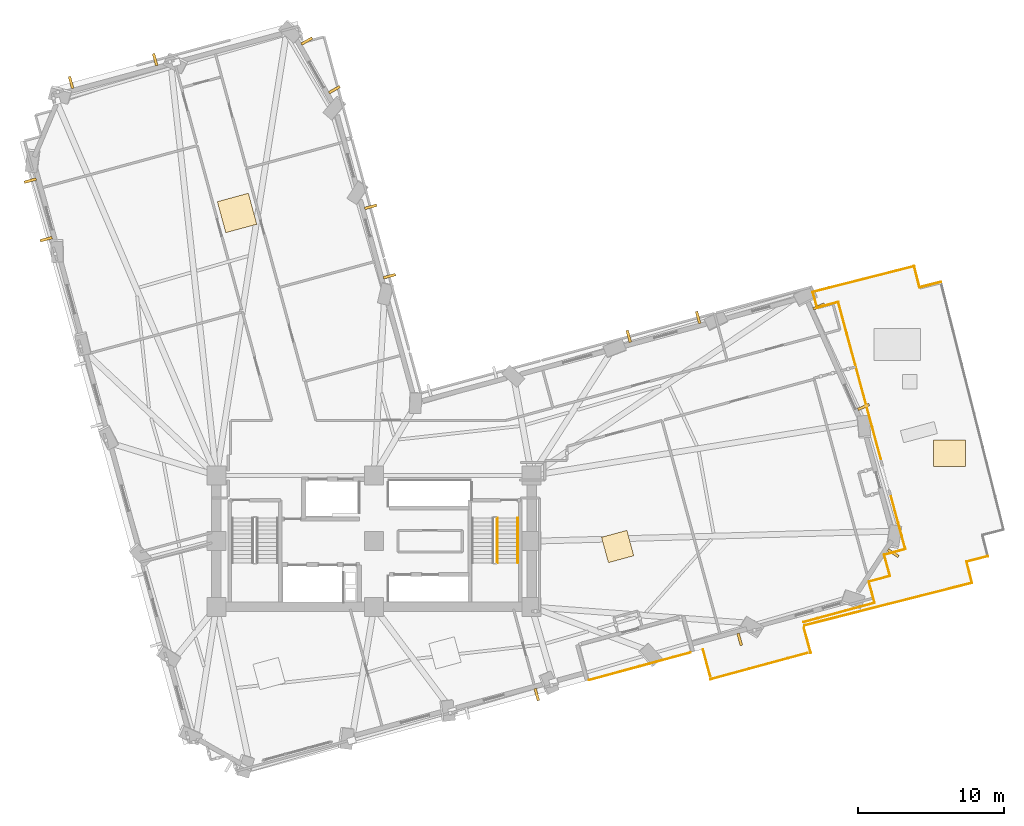
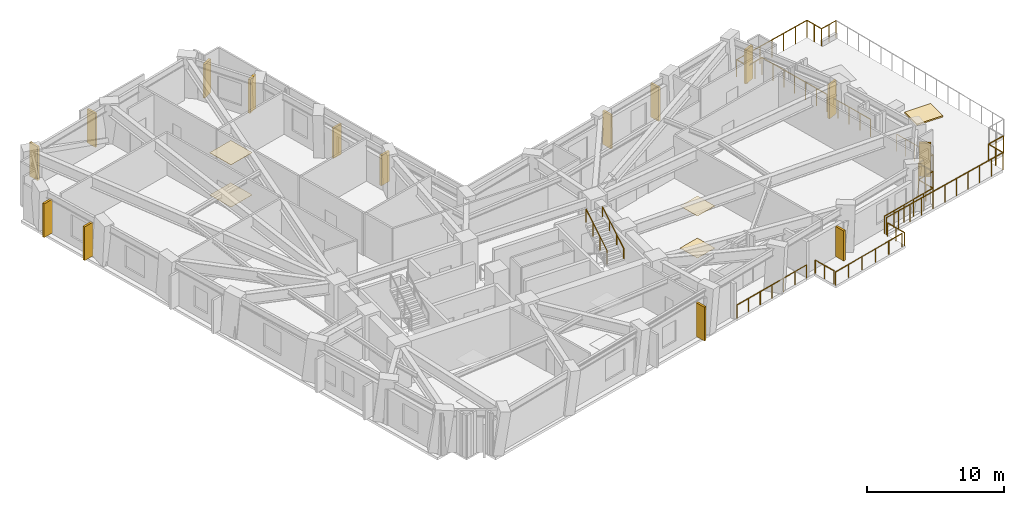
# One storey, part 14 of 15: 21 railings, 15 shading devices, 5 coverings.
"""IFC4 building model written with IfcOpenShell, lengths in metres."""

from ifc_helpers import new_model, si_unit, direction, frame, origin, origin_2d, place, context, subcontext, project, spatial, rectangle, circle, extrude, material, layer, layer_set, type_object, element, save


model = new_model("IFC4")

# Units and contexts
model_context = context("Model", 3, precision=1e-05, world=origin(), true_north=direction((0.0, 1.0)))
body_context = subcontext(model_context, "Body", "Model", "MODEL_VIEW")
ifc_project = project(units=[si_unit("LENGTHUNIT", "METRE"), si_unit("AREAUNIT", "SQUARE_METRE"), si_unit("VOLUMEUNIT", "CUBIC_METRE"), si_unit("PLANEANGLEUNIT", "RADIAN"), si_unit("MASSUNIT", "GRAM", prefix="KILO")], contexts=[model_context])

# Site, building, storey
site_placement = place(None, origin())
site = spatial("IfcSite", under=ifc_project, at=site_placement, CompositionType="ELEMENT")
building_placement = place(site_placement, origin())
building = spatial("IfcBuilding", under=site, at=building_placement, Name="Gaonmaruhae Medical Tower", CompositionType="ELEMENT")
storey_placement = place(building_placement, frame((0.0, 0.0, 88.39990234375)))
storey = spatial("IfcBuildingStorey", under=building, at=storey_placement, Name="L20", CompositionType="ELEMENT", Elevation=88.39990234375)

# Coverings
ifc_material_1 = material(Name="Acoustic mineral ceiling tile", Category="finish")
ifc_layer_1 = layer(ifc_material_1, 0.02490234375)
ifc_layer_set_1 = layer_set([ifc_layer_1], Name="Acoustic mineral ceiling tile")
covering_type_1 = type_object("IfcCoveringType", Name="CLG-01 Antimicrobial Acoustic Mineral Ceiling", PredefinedType="CEILING", material=ifc_layer_set_1)
covering_1_placement = place(storey_placement, frame((15.42041015625, 34.787841796875, 3.755126953125), z_axis=(0.0, 0.0, 1.0), x_axis=(0.965016494472, 0.262189178641, 0.0)))
element("IfcCovering", 1, at=covering_1_placement, inside=storey, type_object=covering_type_1, Name="L20 Clinical Corridor Acoustic Ceiling", PredefinedType="CEILING", context=body_context, shape_type="SweptSolid", body=[
    extrude(rectangle(XDim=2.199951171875, YDim=2.199951171875, at=origin_2d()), origin(), (0.0, 0.0, 1.0), 0.02490234375),
])
covering_2_placement = place(storey_placement, frame((41.493408203125, 11.938232421875, 3.735107421875), z_axis=(0.0, 0.0, 1.0), x_axis=(0.965016494472, 0.262189178641, 0.0)))
element("IfcCovering", 2, at=covering_2_placement, inside=storey, type_object=covering_type_1, Name="L20 Clinical Room Acoustic Ceiling 4", PredefinedType="CEILING", context=body_context, shape_type="SweptSolid", body=[
    extrude(rectangle(XDim=1.800048828125, YDim=1.800048828125, at=origin_2d()), origin(), (0.0, 0.0, 1.0), 0.02490234375),
])
ifc_material_2 = material(Name="Seamless clinical vinyl flooring", Category="finish")
ifc_layer_2 = layer(ifc_material_2, 0.014892578125)
ifc_layer_set_2 = layer_set([ifc_layer_2], Name="Seamless clinical vinyl flooring")
covering_type_2 = type_object("IfcCoveringType", Name="FLR-01 Seamless Clinical Antistatic Vinyl Flooring", PredefinedType="FLOORING", material=ifc_layer_set_2)
covering_3_placement = place(storey_placement, frame((15.42041015625, 34.787841796875, 0.00048828125), z_axis=(0.0, 0.0, 1.0), x_axis=(0.965016494472, 0.262189178641, 0.0)))
element("IfcCovering", 3, at=covering_3_placement, inside=storey, type_object=covering_type_2, Name="L20 Clinical Corridor Vinyl Flooring", PredefinedType="FLOORING", context=body_context, shape_type="SweptSolid", body=[
    extrude(rectangle(XDim=2.199951171875, YDim=2.199951171875, at=origin_2d()), origin(), (0.0, 0.0, 1.0), 0.014892578125),
])
covering_4_placement = place(storey_placement, frame((41.493408203125, 11.938232421875, 0.0), z_axis=(0.0, 0.0, 1.0), x_axis=(0.965016494472, 0.262189178641, 0.0)))
element("IfcCovering", 4, at=covering_4_placement, inside=storey, type_object=covering_type_2, Name="L20 Clinical Room Vinyl Flooring 4", PredefinedType="FLOORING", context=body_context, shape_type="SweptSolid", body=[
    extrude(rectangle(XDim=1.800048828125, YDim=1.800048828125, at=origin_2d()), origin(), (0.0, 0.0, 1.0), 0.014892578125),
])

# Railings
ifc_material_3 = material(Name="Stainless steel 316L and laminated safety glass", Category="steel")
ifc_layer_3 = layer(ifc_material_3, 0.080078125)
ifc_layer_set_3 = layer_set([ifc_layer_3], Name="Stainless steel 316L and laminated safety glass")
railing_type_1 = type_object("IfcRailingType", Name="GD-120 Outdoor Terrace Safety Glass & Steel Balustrade", PredefinedType="BALUSTRADE", material=ifc_layer_set_3)
railing_1_placement = place(storey_placement, frame((39.548095703125, 2.78955078125, 0.0)))
element("IfcRailing", 5, at=railing_1_placement, inside=storey, type_object=railing_type_1, Name="L20 Terrace Safety Guard RL-SLB-L20-TER-01", PredefinedType="BALUSTRADE", context=body_context, shape_type="SweptSolid", body=[
    extrude(circle(Radius=0.02392578125, at=origin_2d()), frame((0.0, 0.0, 1.17578125), z_axis=(0.965017688465, 0.262184783977, 0.0), x_axis=(-0.262184783977, 0.965017688465, 0.0)), (0.0, 0.0, 1.0), 7.199951171875),
    extrude(circle(Radius=0.02099609375, at=origin_2d()), origin(), (0.0, 0.0, 1.0), 1.15185546875),
    extrude(circle(Radius=0.02099609375, at=origin_2d()), frame((1.157958984375, 0.314697265625, 0.0)), (0.0, 0.0, 1.0), 1.15185546875),
    extrude(circle(Radius=0.02099609375, at=origin_2d()), frame((2.31591796875, 0.629150390625, 0.0)), (0.0, 0.0, 1.0), 1.15185546875),
    extrude(circle(Radius=0.02099609375, at=origin_2d()), frame((3.47412109375, 0.94384765625, 0.0)), (0.0, 0.0, 1.0), 1.15185546875),
    extrude(circle(Radius=0.02099609375, at=origin_2d()), frame((4.632080078125, 1.258544921875, 0.0)), (0.0, 0.0, 1.0), 1.15185546875),
    extrude(circle(Radius=0.02099609375, at=origin_2d()), frame((5.7900390625, 1.572998046875, 0.0)), (0.0, 0.0, 1.0), 1.15185546875),
    extrude(circle(Radius=0.02099609375, at=origin_2d()), frame((6.947998046875, 1.8876953125, 0.0)), (0.0, 0.0, 1.0), 1.15185546875),
])
railing_2_placement = place(storey_placement, frame((54.2607421875, 6.34375, 0.0)))
element("IfcRailing", 6, at=railing_2_placement, inside=storey, type_object=railing_type_1, Name="L20 Perimeter Slab Edge Safety Balustrade 01", PredefinedType="BALUSTRADE", context=body_context, shape_type="SweptSolid", body=[
    extrude(circle(Radius=0.02392578125, at=origin_2d()), frame((0.0, 0.0, 1.17578125), z_axis=(0.262186033061, -0.965017349102, 0.0), x_axis=(0.965017349102, 0.262186033061, 0.0)), (0.0, 0.0, 1.0), 1.75244140625),
    extrude(circle(Radius=0.02099609375, at=origin_2d()), origin(), (0.0, 0.0, 1.0), 1.15185546875),
    extrude(circle(Radius=0.02099609375, at=origin_2d()), frame((0.229736328125, -0.845703125, 0.0)), (0.0, 0.0, 1.0), 1.15185546875),
    extrude(circle(Radius=0.02099609375, at=origin_2d()), frame((0.45947265625, -1.691162109375, 0.0)), (0.0, 0.0, 1.0), 1.15185546875),
])
railing_3_placement = place(storey_placement, frame((54.512939453125, 4.648193359375, 0.0)))
element("IfcRailing", 7, at=railing_3_placement, inside=storey, type_object=railing_type_1, Name="L20 Perimeter Slab Edge Safety Balustrade 02", PredefinedType="BALUSTRADE", context=body_context, shape_type="SweptSolid", body=[
    extrude(circle(Radius=0.02392578125, at=origin_2d()), frame((0.0, 0.0, 1.17578125), z_axis=(-0.965022673113, -0.262166436406, 0.0), x_axis=(0.262166436406, -0.965022673113, 0.0)), (0.0, 0.0, 1.0), 6.908935546875),
    extrude(circle(Radius=0.02099609375, at=origin_2d()), origin(), (0.0, 0.0, 1.0), 1.15185546875),
    extrude(circle(Radius=0.02099609375, at=origin_2d()), frame((-1.33349609375, -0.3623046875, 0.0)), (0.0, 0.0, 1.0), 1.15185546875),
    extrude(circle(Radius=0.02099609375, at=origin_2d()), frame((-2.6669921875, -0.724609375, 0.0)), (0.0, 0.0, 1.0), 1.15185546875),
    extrude(circle(Radius=0.02099609375, at=origin_2d()), frame((-4.000244140625, -1.086669921875, 0.0)), (0.0, 0.0, 1.0), 1.15185546875),
    extrude(circle(Radius=0.02099609375, at=origin_2d()), frame((-5.333740234375, -1.448974609375, 0.0)), (0.0, 0.0, 1.0), 1.15185546875),
    extrude(circle(Radius=0.02099609375, at=origin_2d()), frame((-6.667236328125, -1.811279296875, 0.0)), (0.0, 0.0, 1.0), 1.15185546875),
])
railing_4_placement = place(storey_placement, frame((47.8447265625, 3.03173828125, 0.0)))
element("IfcRailing", 8, at=railing_4_placement, inside=storey, type_object=railing_type_1, Name="L20 Perimeter Slab Edge Safety Balustrade 03", PredefinedType="BALUSTRADE", context=body_context, shape_type="SweptSolid", body=[
    extrude(circle(Radius=0.02392578125, at=origin_2d()), frame((0.0, 0.0, 1.17578125), z_axis=(-0.262246466755, 0.96500092781, 0.0), x_axis=(-0.96500092781, -0.262246466755, 0.0)), (0.0, 0.0, 1.0), 1.92138671875),
    extrude(circle(Radius=0.02099609375, at=origin_2d()), origin(), (0.0, 0.0, 1.0), 1.15185546875),
    extrude(circle(Radius=0.02099609375, at=origin_2d()), frame((-0.251953125, 0.92724609375, 0.0)), (0.0, 0.0, 1.0), 1.15185546875),
    extrude(circle(Radius=0.02099609375, at=origin_2d()), frame((-0.50390625, 1.854248046875, 0.0)), (0.0, 0.0, 1.0), 1.15185546875),
])
ifc_layer_4 = layer(ifc_material_3, 0.080078125)
ifc_layer_set_4 = layer_set([ifc_layer_4], Name="Stainless steel 316L and laminated safety glass")
railing_type_2 = type_object("IfcRailingType", Name="GD-155 Planter-Edge Raised Safety Balustrade", PredefinedType="BALUSTRADE", material=ifc_layer_set_4)
railing_5_placement = place(storey_placement, frame((62.177001953125, 29.6845703125, 0.0)))
element("IfcRailing", 9, at=railing_5_placement, inside=storey, type_object=railing_type_2, Name="L20 Terrace Safety Guard RL-SLB-L20-SKYG1-01", PredefinedType="BALUSTRADE", context=body_context, shape_type="SweptSolid", body=[
    extrude(circle(Radius=0.02392578125, at=origin_2d()), frame((0.0, 0.0, 1.52587890625), z_axis=(0.969245560491, 0.24609559823, 0.0), x_axis=(-0.24609559823, 0.969245560491, 0.0)), (0.0, 0.0, 1.0), 1.5),
    extrude(circle(Radius=0.02099609375, at=origin_2d()), origin(), (0.0, 0.0, 1.0), 1.501953125),
    extrude(circle(Radius=0.02099609375, at=origin_2d()), frame((0.72705078125, 0.1845703125, 0.0)), (0.0, 0.0, 1.0), 1.501953125),
    extrude(circle(Radius=0.02099609375, at=origin_2d()), frame((1.453857421875, 0.369140625, 0.0)), (0.0, 0.0, 1.0), 1.501953125),
])
railing_6_placement = place(storey_placement, frame((66.853759765625, 11.269287109375, 0.0)))
element("IfcRailing", 10, at=railing_6_placement, inside=storey, type_object=railing_type_2, Name="L20 Terrace Safety Guard RL-SLB-L20-SKYG1-05", PredefinedType="BALUSTRADE", context=body_context, shape_type="SweptSolid", body=[
    extrude(circle(Radius=0.02392578125, at=origin_2d()), frame((0.0, 0.0, 1.52587890625), z_axis=(-0.96920672693, -0.246248493341, 0.0), x_axis=(0.246248493341, -0.96920672693, 0.0)), (0.0, 0.0, 1.0), 1.5),
    extrude(circle(Radius=0.02099609375, at=origin_2d()), origin(), (0.0, 0.0, 1.0), 1.501953125),
    extrude(circle(Radius=0.02099609375, at=origin_2d()), frame((-0.72705078125, -0.1845703125, 0.0)), (0.0, 0.0, 1.0), 1.501953125),
    extrude(circle(Radius=0.02099609375, at=origin_2d()), frame((-1.453857421875, -0.369384765625, 0.0)), (0.0, 0.0, 1.0), 1.501953125),
])
railing_7_placement = place(storey_placement, frame((65.39990234375, 10.89990234375, 0.0)))
element("IfcRailing", 11, at=railing_7_placement, inside=storey, type_object=railing_type_2, Name="L20 Terrace Safety Guard RL-SLB-L20-SKYG1-06", PredefinedType="BALUSTRADE", context=body_context, shape_type="SweptSolid", body=[
    extrude(circle(Radius=0.02392578125, at=origin_2d()), frame((0.0, 0.0, 1.52587890625), z_axis=(0.246248493341, -0.96920672693, 0.0), x_axis=(0.96920672693, 0.246248493341, 0.0)), (0.0, 0.0, 1.0), 1.5),
    extrude(circle(Radius=0.02099609375, at=origin_2d()), origin(), (0.0, 0.0, 1.0), 1.501953125),
    extrude(circle(Radius=0.02099609375, at=origin_2d()), frame((0.1845703125, -0.72705078125, 0.0)), (0.0, 0.0, 1.0), 1.501953125),
    extrude(circle(Radius=0.02099609375, at=origin_2d()), frame((0.369384765625, -1.453857421875, 0.0)), (0.0, 0.0, 1.0), 1.501953125),
])
railing_8_placement = place(storey_placement, frame((65.769287109375, 9.446044921875, 0.0)))
element("IfcRailing", 12, at=railing_8_placement, inside=storey, type_object=railing_type_2, Name="L20 Terrace Safety Guard RL-SLB-L20-SKYG1-07", PredefinedType="BALUSTRADE", context=body_context, shape_type="SweptSolid", body=[
    extrude(circle(Radius=0.02392578125, at=origin_2d()), frame((0.0, 0.0, 1.52587890625), z_axis=(-0.969232644761, -0.246146461137, 0.0), x_axis=(0.246146461137, -0.969232644761, 0.0)), (0.0, 0.0, 1.0), 11.830810546875),
    extrude(circle(Radius=0.02099609375, at=origin_2d()), origin(), (0.0, 0.0, 1.0), 1.501953125),
    extrude(circle(Radius=0.02099609375, at=origin_2d()), frame((-1.146728515625, -0.291259765625, 0.0)), (0.0, 0.0, 1.0), 1.501953125),
    extrude(circle(Radius=0.02099609375, at=origin_2d()), frame((-2.29345703125, -0.58251953125, 0.0)), (0.0, 0.0, 1.0), 1.501953125),
    extrude(circle(Radius=0.02099609375, at=origin_2d()), frame((-3.43994140625, -0.87353515625, 0.0)), (0.0, 0.0, 1.0), 1.501953125),
    extrude(circle(Radius=0.02099609375, at=origin_2d()), frame((-4.586669921875, -1.164794921875, 0.0)), (0.0, 0.0, 1.0), 1.501953125),
    extrude(circle(Radius=0.02099609375, at=origin_2d()), frame((-5.7333984375, -1.4560546875, 0.0)), (0.0, 0.0, 1.0), 1.501953125),
    extrude(circle(Radius=0.02099609375, at=origin_2d()), frame((-6.880126953125, -1.747314453125, 0.0)), (0.0, 0.0, 1.0), 1.501953125),
    extrude(circle(Radius=0.02099609375, at=origin_2d()), frame((-8.02685546875, -2.03857421875, 0.0)), (0.0, 0.0, 1.0), 1.501953125),
    extrude(circle(Radius=0.02099609375, at=origin_2d()), frame((-9.17333984375, -2.32958984375, 0.0)), (0.0, 0.0, 1.0), 1.501953125),
    extrude(circle(Radius=0.02099609375, at=origin_2d()), frame((-10.320068359375, -2.620849609375, 0.0)), (0.0, 0.0, 1.0), 1.501953125),
    extrude(circle(Radius=0.02099609375, at=origin_2d()), frame((-11.466796875, -2.912109375, 0.0)), (0.0, 0.0, 1.0), 1.501953125),
])
railing_9_placement = place(storey_placement, frame((54.24072265625, 6.7607421875, 0.0)))
element("IfcRailing", 13, at=railing_9_placement, inside=storey, type_object=railing_type_2, Name="L20 Terrace Safety Guard RL-SLB-L20-SKYG1-09", PredefinedType="BALUSTRADE", context=body_context, shape_type="SweptSolid", body=[
    extrude(circle(Radius=0.02392578125, at=origin_2d()), frame((0.0, 0.0, 1.52587890625), z_axis=(0.965015347921, 0.262193398613, 0.0), x_axis=(-0.262193398613, 0.965015347921, 0.0)), (0.0, 0.0, 1.0), 5.031005859375),
    extrude(circle(Radius=0.02099609375, at=origin_2d()), origin(), (0.0, 0.0, 1.0), 1.501953125),
    extrude(circle(Radius=0.02099609375, at=origin_2d()), frame((0.970947265625, 0.263916015625, 0.0)), (0.0, 0.0, 1.0), 1.501953125),
    extrude(circle(Radius=0.02099609375, at=origin_2d()), frame((1.94189453125, 0.527587890625, 0.0)), (0.0, 0.0, 1.0), 1.501953125),
    extrude(circle(Radius=0.02099609375, at=origin_2d()), frame((2.9130859375, 0.79150390625, 0.0)), (0.0, 0.0, 1.0), 1.501953125),
    extrude(circle(Radius=0.02099609375, at=origin_2d()), frame((3.884033203125, 1.05517578125, 0.0)), (0.0, 0.0, 1.0), 1.501953125),
    extrude(circle(Radius=0.02099609375, at=origin_2d()), frame((4.85498046875, 1.319091796875, 0.0)), (0.0, 0.0, 1.0), 1.501953125),
])
railing_10_placement = place(storey_placement, frame((59.095703125, 8.079833984375, 0.0)))
element("IfcRailing", 14, at=railing_10_placement, inside=storey, type_object=railing_type_2, Name="L20 Terrace Safety Guard RL-SLB-L20-SKYG1-10", PredefinedType="BALUSTRADE", context=body_context, shape_type="SweptSolid", body=[
    extrude(circle(Radius=0.02392578125, at=origin_2d()), frame((0.0, 0.0, 1.52587890625), z_axis=(-0.262208330183, 0.965011290909, 0.0), x_axis=(-0.965011290909, -0.262208330183, 0.0)), (0.0, 0.0, 1.0), 1.5),
    extrude(circle(Radius=0.02099609375, at=origin_2d()), origin(), (0.0, 0.0, 1.0), 1.501953125),
    extrude(circle(Radius=0.02099609375, at=origin_2d()), frame((-0.19677734375, 0.7236328125, 0.0)), (0.0, 0.0, 1.0), 1.501953125),
    extrude(circle(Radius=0.02099609375, at=origin_2d()), frame((-0.393310546875, 1.447509765625, 0.0)), (0.0, 0.0, 1.0), 1.501953125),
])
railing_11_placement = place(storey_placement, frame((58.702392578125, 9.52734375, 0.0)))
element("IfcRailing", 15, at=railing_11_placement, inside=storey, type_object=railing_type_2, Name="L20 Terrace Safety Guard RL-SLB-L20-SKYG1-11", PredefinedType="BALUSTRADE", context=body_context, shape_type="SweptSolid", body=[
    extrude(circle(Radius=0.02392578125, at=origin_2d()), frame((0.0, 0.0, 1.52587890625), z_axis=(0.965011290909, 0.262208330183, 0.0), x_axis=(-0.262208330183, 0.965011290909, 0.0)), (0.0, 0.0, 1.0), 1.5),
    extrude(circle(Radius=0.02099609375, at=origin_2d()), origin(), (0.0, 0.0, 1.0), 1.501953125),
    extrude(circle(Radius=0.02099609375, at=origin_2d()), frame((0.7236328125, 0.19677734375, 0.0)), (0.0, 0.0, 1.0), 1.501953125),
    extrude(circle(Radius=0.02099609375, at=origin_2d()), frame((1.447509765625, 0.393310546875, 0.0)), (0.0, 0.0, 1.0), 1.501953125),
])
railing_12_placement = place(storey_placement, frame((60.14990234375, 9.920654296875, 0.0)))
element("IfcRailing", 16, at=railing_12_placement, inside=storey, type_object=railing_type_2, Name="L20 Terrace Safety Guard RL-SLB-L20-SKYG1-12", PredefinedType="BALUSTRADE", context=body_context, shape_type="SweptSolid", body=[
    extrude(circle(Radius=0.02392578125, at=origin_2d()), frame((0.0, 0.0, 1.52587890625), z_axis=(-0.262208330183, 0.965011290909, 0.0), x_axis=(-0.965011290909, -0.262208330183, 0.0)), (0.0, 0.0, 1.0), 1.5),
    extrude(circle(Radius=0.02099609375, at=origin_2d()), origin(), (0.0, 0.0, 1.0), 1.501953125),
    extrude(circle(Radius=0.02099609375, at=origin_2d()), frame((-0.19677734375, 0.7236328125, 0.0)), (0.0, 0.0, 1.0), 1.501953125),
    extrude(circle(Radius=0.02099609375, at=origin_2d()), frame((-0.393310546875, 1.447509765625, 0.0)), (0.0, 0.0, 1.0), 1.501953125),
])
railing_13_placement = place(storey_placement, frame((59.756591796875, 11.3681640625, 0.0)))
element("IfcRailing", 17, at=railing_13_placement, inside=storey, type_object=railing_type_2, Name="L20 Terrace Safety Guard RL-SLB-L20-SKYG1-13", PredefinedType="BALUSTRADE", context=body_context, shape_type="SweptSolid", body=[
    extrude(circle(Radius=0.02392578125, at=origin_2d()), frame((0.0, 0.0, 1.52587890625), z_axis=(0.96502247863, 0.262167152289, 0.0), x_axis=(-0.262167152289, 0.96502247863, 0.0)), (0.0, 0.0, 1.0), 1.500244140625),
    extrude(circle(Radius=0.02099609375, at=origin_2d()), origin(), (0.0, 0.0, 1.0), 1.501953125),
    extrude(circle(Radius=0.02099609375, at=origin_2d()), frame((0.723876953125, 0.19677734375, 0.0)), (0.0, 0.0, 1.0), 1.501953125),
    extrude(circle(Radius=0.02099609375, at=origin_2d()), frame((1.44775390625, 0.393310546875, 0.0)), (0.0, 0.0, 1.0), 1.501953125),
])
railing_14_placement = place(storey_placement, frame((61.204345703125, 11.761474609375, 0.0)))
element("IfcRailing", 18, at=railing_14_placement, inside=storey, type_object=railing_type_2, Name="L20 Terrace Safety Guard RL-SLB-L20-SKYG1-14A", PredefinedType="BALUSTRADE", context=body_context, shape_type="SweptSolid", body=[
    extrude(circle(Radius=0.02392578125, at=origin_2d()), frame((0.0, 0.0, 1.52587890625), z_axis=(-0.26216727602, 0.965022445016, 0.0), x_axis=(-0.965022445016, -0.26216727602, 0.0)), (0.0, 0.0, 1.0), 3.718505859375),
    extrude(circle(Radius=0.02099609375, at=origin_2d()), origin(), (0.0, 0.0, 1.0), 1.501953125),
    extrude(circle(Radius=0.02099609375, at=origin_2d()), frame((-0.24365234375, 0.89697265625, 0.0)), (0.0, 0.0, 1.0), 1.501953125),
    extrude(circle(Radius=0.02099609375, at=origin_2d()), frame((-0.4873046875, 1.794189453125, 0.0)), (0.0, 0.0, 1.0), 1.501953125),
    extrude(circle(Radius=0.02099609375, at=origin_2d()), frame((-0.731201171875, 2.69140625, 0.0)), (0.0, 0.0, 1.0), 1.501953125),
    extrude(circle(Radius=0.02099609375, at=origin_2d()), frame((-0.974853515625, 3.58837890625, 0.0)), (0.0, 0.0, 1.0), 1.501953125),
])
railing_15_placement = place(storey_placement, frame((59.531005859375, 17.920166015625, 0.0)))
element("IfcRailing", 19, at=railing_15_placement, inside=storey, type_object=railing_type_2, Name="L20 Terrace Safety Guard RL-SLB-L20-SKYG1-14B", PredefinedType="BALUSTRADE", context=body_context, shape_type="SweptSolid", body=[
    extrude(circle(Radius=0.02392578125, at=origin_2d()), frame((0.0, 0.0, 1.52587890625), z_axis=(-0.262193425254, 0.965015340683, 0.0), x_axis=(-0.965015340683, -0.262193425254, 0.0)), (0.0, 0.0, 1.0), 11.157958984375),
    extrude(circle(Radius=0.02099609375, at=origin_2d()), origin(), (0.0, 0.0, 1.0), 1.501953125),
    extrude(circle(Radius=0.02099609375, at=origin_2d()), frame((-0.29248046875, 1.07666015625, 0.0)), (0.0, 0.0, 1.0), 1.501953125),
    extrude(circle(Radius=0.02099609375, at=origin_2d()), frame((-0.585205078125, 2.153564453125, 0.0)), (0.0, 0.0, 1.0), 1.501953125),
    extrude(circle(Radius=0.02099609375, at=origin_2d()), frame((-0.877685546875, 3.230224609375, 0.0)), (0.0, 0.0, 1.0), 1.501953125),
    extrude(circle(Radius=0.02099609375, at=origin_2d()), frame((-1.170166015625, 4.30712890625, 0.0)), (0.0, 0.0, 1.0), 1.501953125),
    extrude(circle(Radius=0.02099609375, at=origin_2d()), frame((-1.462890625, 5.3837890625, 0.0)), (0.0, 0.0, 1.0), 1.501953125),
    extrude(circle(Radius=0.02099609375, at=origin_2d()), frame((-1.75537109375, 6.46044921875, 0.0)), (0.0, 0.0, 1.0), 1.501953125),
    extrude(circle(Radius=0.02099609375, at=origin_2d()), frame((-2.0478515625, 7.537353515625, 0.0)), (0.0, 0.0, 1.0), 1.501953125),
    extrude(circle(Radius=0.02099609375, at=origin_2d()), frame((-2.34033203125, 8.614013671875, 0.0)), (0.0, 0.0, 1.0), 1.501953125),
    extrude(circle(Radius=0.02099609375, at=origin_2d()), frame((-2.633056640625, 9.69091796875, 0.0)), (0.0, 0.0, 1.0), 1.501953125),
    extrude(circle(Radius=0.02099609375, at=origin_2d()), frame((-2.925537109375, 10.767578125, 0.0)), (0.0, 0.0, 1.0), 1.501953125),
])
railing_16_placement = place(storey_placement, frame((56.60546875, 28.687744140625, 0.0)))
element("IfcRailing", 20, at=railing_16_placement, inside=storey, type_object=railing_type_2, Name="L20 Terrace Safety Guard RL-SLB-L20-SKYG1-15", PredefinedType="BALUSTRADE", context=body_context, shape_type="SweptSolid", body=[
    extrude(circle(Radius=0.02392578125, at=origin_2d()), frame((0.0, 0.0, 1.52587890625), z_axis=(-0.965011290909, -0.262208330183, 0.0), x_axis=(0.262208330183, -0.965011290909, 0.0)), (0.0, 0.0, 1.0), 1.5),
    extrude(circle(Radius=0.02099609375, at=origin_2d()), origin(), (0.0, 0.0, 1.0), 1.501953125),
    extrude(circle(Radius=0.02099609375, at=origin_2d()), frame((-0.7236328125, -0.19677734375, 0.0)), (0.0, 0.0, 1.0), 1.501953125),
    extrude(circle(Radius=0.02099609375, at=origin_2d()), frame((-1.447509765625, -0.393310546875, 0.0)), (0.0, 0.0, 1.0), 1.501953125),
])
railing_17_placement = place(storey_placement, frame((55.157958984375, 28.29443359375, 0.0)))
element("IfcRailing", 21, at=railing_17_placement, inside=storey, type_object=railing_type_2, Name="L20 Terrace Safety Guard RL-SLB-L20-SKYG1-16", PredefinedType="BALUSTRADE", context=body_context, shape_type="SweptSolid", body=[
    extrude(circle(Radius=0.02392578125, at=origin_2d()), frame((0.0, 0.0, 1.52587890625), z_axis=(-0.262084080758, 0.96504504279, 0.0), x_axis=(-0.96504504279, -0.262084080758, 0.0)), (0.0, 0.0, 1.0), 1.11962890625),
    extrude(circle(Radius=0.02099609375, at=origin_2d()), origin(), (0.0, 0.0, 1.0), 1.501953125),
    extrude(circle(Radius=0.02099609375, at=origin_2d()), frame((-0.29345703125, 1.08056640625, 0.0)), (0.0, 0.0, 1.0), 1.501953125),
])
railing_18_placement = place(storey_placement, frame((54.864501953125, 29.375, 0.0)))
element("IfcRailing", 22, at=railing_18_placement, inside=storey, type_object=railing_type_2, Name="L20 Terrace Safety Guard RL-SLB-L20-SKYG1-17", PredefinedType="BALUSTRADE", context=body_context, shape_type="SweptSolid", body=[
    extrude(circle(Radius=0.02392578125, at=origin_2d()), frame((0.0, 0.0, 1.52587890625), z_axis=(0.969227542551, 0.246166550858, 0.0), x_axis=(-0.246166550858, 0.969227542551, 0.0)), (0.0, 0.0, 1.0), 7.16357421875),
    extrude(circle(Radius=0.02099609375, at=origin_2d()), origin(), (0.0, 0.0, 1.0), 1.501953125),
    extrude(circle(Radius=0.02099609375, at=origin_2d()), frame((1.1572265625, 0.2939453125, 0.0)), (0.0, 0.0, 1.0), 1.501953125),
    extrude(circle(Radius=0.02099609375, at=origin_2d()), frame((2.314453125, 0.587890625, 0.0)), (0.0, 0.0, 1.0), 1.501953125),
    extrude(circle(Radius=0.02099609375, at=origin_2d()), frame((3.4716796875, 0.8818359375, 0.0)), (0.0, 0.0, 1.0), 1.501953125),
    extrude(circle(Radius=0.02099609375, at=origin_2d()), frame((4.628662109375, 1.175537109375, 0.0)), (0.0, 0.0, 1.0), 1.501953125),
    extrude(circle(Radius=0.02099609375, at=origin_2d()), frame((5.785888671875, 1.469482421875, 0.0)), (0.0, 0.0, 1.0), 1.501953125),
    extrude(circle(Radius=0.02099609375, at=origin_2d()), frame((6.943115234375, 1.763427734375, 0.0)), (0.0, 0.0, 1.0), 1.501953125),
])
railing_19_placement = place(storey_placement, frame((61.8076171875, 31.138427734375, 0.0)))
element("IfcRailing", 23, at=railing_19_placement, inside=storey, type_object=railing_type_2, Name="L20 Terrace Safety Guard RL-SLB-L20-SKYG1-18", PredefinedType="BALUSTRADE", context=body_context, shape_type="SweptSolid", body=[
    extrude(circle(Radius=0.02392578125, at=origin_2d()), frame((0.0, 0.0, 1.52587890625), z_axis=(0.246248493341, -0.96920672693, 0.0), x_axis=(0.96920672693, 0.246248493341, 0.0)), (0.0, 0.0, 1.0), 1.5),
    extrude(circle(Radius=0.02099609375, at=origin_2d()), origin(), (0.0, 0.0, 1.0), 1.501953125),
    extrude(circle(Radius=0.02099609375, at=origin_2d()), frame((0.1845703125, -0.72705078125, 0.0)), (0.0, 0.0, 1.0), 1.501953125),
    extrude(circle(Radius=0.02099609375, at=origin_2d()), frame((0.369384765625, -1.453857421875, 0.0)), (0.0, 0.0, 1.0), 1.501953125),
])
ifc_material_4 = material(Name="Stainless steel 304 handrail", Category="steel")
railing_type_3 = type_object("IfcRailingType", Name="HR-092 Continuous Stainless Steel Stair Handrail", PredefinedType="HANDRAIL", material=ifc_material_4)
railing_20_placement = place(storey_placement, frame((34.64990234375, 10.820068359375, 2.166748046875)))
element("IfcRailing", 24, at=railing_20_placement, inside=storey, type_object=railing_type_3, Name="L20 ST-02 stair handrail 2", PredefinedType="HANDRAIL", context=body_context, shape_type="SweptSolid", body=[
    extrude(circle(Radius=0.02392578125, at=origin_2d()), frame((0.0, 0.0, 0.8759765625), z_axis=(0.0, 0.859290745958, 0.51148745235), x_axis=(-1.0, 0.0, 0.0)), (0.0, 0.0, 1.0), 3.584228515625),
    extrude(circle(Radius=0.02099609375, at=origin_2d()), origin(), (0.0, 0.0, 1.0), 0.851806640625),
    extrude(circle(Radius=0.02099609375, at=origin_2d()), frame((0.0, 1.026611328125, 0.611083984375)), (0.0, 0.0, 1.0), 0.851806640625),
    extrude(circle(Radius=0.02099609375, at=origin_2d()), frame((0.0, 2.05322265625, 1.22216796875)), (0.0, 0.0, 1.0), 0.851806640625),
    extrude(circle(Radius=0.02099609375, at=origin_2d()), frame((0.0, 3.079833984375, 1.833251953125)), (0.0, 0.0, 1.0), 0.851806640625),
])

# Covering
ifc_material_5 = material(Name="EPDM insulated roofing membrane", Category="membrane")
ifc_layer_5 = layer(ifc_material_5, 0.1201171875)
ifc_layer_set_5 = layer_set([ifc_layer_5], Name="EPDM insulated roofing membrane")
covering_type_3 = type_object("IfcCoveringType", Name="RFG-01 Insulated EPDM Waterproof Roofing Membrane", PredefinedType="ROOFING", material=ifc_layer_set_5)
covering_5_placement = place(storey_placement, frame((64.23486328125, 18.328369140625, 0.0), z_axis=(0.0, 0.0, 1.0), x_axis=(1.0, 0.0, 0.0)))
element("IfcCovering", 25, at=covering_5_placement, inside=storey, type_object=covering_type_3, Name="L20 Terrace Waterproofing Membrane SLB-L20-SKYG1", PredefinedType="ROOFING", context=body_context, shape_type="SweptSolid", body=[
    extrude(rectangle(XDim=2.199951171875, YDim=1.800048828125, at=origin_2d()), origin(), (0.0, 0.0, 1.0), 0.1201171875),
])

# Shading devices
ifc_material_6 = material(Name="Pigmented coral precast concrete C45/55", Category="concrete")
shading_device_type = type_object("IfcShadingDeviceType", Name="SD-FIN1 Tower Vertical Coral Precast Shading Fin", PredefinedType="USERDEFINED", material=ifc_material_6)
shading_device_1_placement = place(storey_placement, frame((35.952392578125, 1.797119140625, 0.08251953125), z_axis=(0.0, 0.0, 1.0), x_axis=(-0.965016494472, -0.262189178641, 0.0)))
element("IfcShadingDevice", 26, at=shading_device_1_placement, inside=storey, type_object=shading_device_type, Name="L20 Vertical Coral Precast Shading Fin S03", ObjectType="FIN", PredefinedType="USERDEFINED", context=body_context, shape_type="SweptSolid", body=[
    extrude(rectangle(XDim=0.179931640625, YDim=0.85009765625, at=origin_2d()), origin(), (0.0, 0.0, 1.0), 3.0),
])
shading_device_2_placement = place(storey_placement, frame((49.8564453125, 5.57470703125, 0.0400390625), z_axis=(0.0, 0.0, 1.0), x_axis=(-0.965011918261, -0.262206021316, 0.0)))
element("IfcShadingDevice", 27, at=shading_device_2_placement, inside=storey, type_object=shading_device_type, Name="L20 Vertical Coral Precast Shading Fin S05", ObjectType="FIN", PredefinedType="USERDEFINED", context=body_context, shape_type="SweptSolid", body=[
    extrude(rectangle(XDim=0.179931640625, YDim=0.85009765625, at=origin_2d()), origin(), (0.0, 0.0, 1.0), 2.6650390625),
])
for number, where, z_axis, x_axis, name in (
    (28, (60.375, 11.482666015625, 0.08251953125), (0.0, 0.0, 1.0), (-0.549781146482, -0.835308739912, 0.0), "L20 Vertical Coral Precast Shading Fin S07"),
    (29, (55.27587890625, 28.38330078125, 0.08251953125), (0.0, 0.0, 1.0), (0.406593138674, -0.913609336414, 0.0), "L20 Vertical Coral Precast Shading Fin E02"),
    (30, (58.340576171875, 21.496826171875, 0.08251953125), (0.0, 0.0, 1.0), (0.406593138674, -0.913609336414, 0.0), "L20 Vertical Coral Precast Shading Fin E02B"),
    (31, (42.25244140625, 26.33740234375, 0.08251953125), (0.0, 0.0, 1.0), (0.965016494472, 0.262189178641, 0.0), "L20 Vertical Coral Precast Shading Fin EN01"),
    (32, (47.006591796875, 27.62890625, 0.08251953125), (0.0, 0.0, 1.0), (0.965016494472, 0.262189178641, 0.0), "L20 Vertical Coral Precast Shading Fin EN01B"),
):
    element("IfcShadingDevice", number, at=place(storey_placement, frame(where, z_axis=z_axis, x_axis=x_axis)), inside=storey, type_object=shading_device_type, Name=name, ObjectType="FIN", PredefinedType="USERDEFINED", context=body_context, shape_type="SweptSolid", body=[
        extrude(rectangle(XDim=0.179931640625, YDim=0.85009765625, at=origin_2d()), origin(), (0.0, 0.0, 1.0), 3.0),
    ])
for number, where, z_axis, x_axis, name in (
    (33, (24.5703125, 35.2080078125, 0.0400390625), (0.0, 0.0, 1.0), (0.262189178641, -0.965016494472, 0.0), "L20 Vertical Coral Precast Shading Fin NE01"),
    (34, (25.86083984375, 30.45751953125, 0.0400390625), (0.0, 0.0, 1.0), (0.262189178641, -0.965016494472, 0.0), "L20 Vertical Coral Precast Shading Fin NE01B"),
):
    element("IfcShadingDevice", number, at=place(storey_placement, frame(where, z_axis=z_axis, x_axis=x_axis)), inside=storey, type_object=shading_device_type, Name=name, ObjectType="FIN", PredefinedType="USERDEFINED", context=body_context, shape_type="SweptSolid", body=[
        extrude(rectangle(XDim=0.179931640625, YDim=0.85009765625, at=origin_2d()), origin(), (0.0, 0.0, 1.0), 2.68505859375),
    ])
for number, where, z_axis, x_axis, name in (
    (35, (20.197509765625, 46.56396484375, 0.08251953125), (0.0, 0.0, 1.0), (0.493668682325, -0.869650063009, 0.0), "L20 Vertical Coral Precast Shading Fin NE03"),
    (36, (22.08740234375, 43.234619140625, 0.08251953125), (0.0, 0.0, 1.0), (0.493668682325, -0.869650063009, 0.0), "L20 Vertical Coral Precast Shading Fin NE03B"),
    (37, (4.046142578125, 43.728515625, 0.08251953125), (0.0, 0.0, 1.0), (0.965016494472, 0.262189178641, 0.0), "L20 Vertical Coral Precast Shading Fin N02"),
    (38, (9.807373046875, 45.293701171875, 0.08251953125), (0.0, 0.0, 1.0), (0.965016494472, 0.262189178641, 0.0), "L20 Vertical Coral Precast Shading Fin N02B"),
    (39, (2.34326171875, 32.993408203125, 0.08251953125), (0.0, 0.0, 1.0), (-0.262189178641, 0.965016494472, 0.0), "L20 Vertical Coral Precast Shading Fin W01"),
    (40, (1.25390625, 37.00341796875, 0.08251953125), (0.0, 0.0, 1.0), (-0.262189178641, 0.965016494472, 0.0), "L20 Vertical Coral Precast Shading Fin W01B"),
):
    element("IfcShadingDevice", number, at=place(storey_placement, frame(where, z_axis=z_axis, x_axis=x_axis)), inside=storey, type_object=shading_device_type, Name=name, ObjectType="FIN", PredefinedType="USERDEFINED", context=body_context, shape_type="SweptSolid", body=[
        extrude(rectangle(XDim=0.179931640625, YDim=0.85009765625, at=origin_2d()), origin(), (0.0, 0.0, 1.0), 3.0),
    ])

# Railing
ifc_material_7 = material(Name="Stainless steel 304 balustrade", Category="steel")
railing_type_4 = type_object("IfcRailingType", Name="SG-112 Stair Well & Ramp Void Safety Balustrade", PredefinedType="BALUSTRADE", material=ifc_material_7)
railing_21_placement = place(storey_placement, frame((33.25, 10.820068359375, 2.166748046875)))
element("IfcRailing", 41, at=railing_21_placement, inside=storey, type_object=railing_type_4, Name="L20 ST-02 stair guard 3", PredefinedType="BALUSTRADE", context=body_context, shape_type="SweptSolid", body=[
    extrude(circle(Radius=0.02392578125, at=origin_2d()), frame((0.0, 0.0, 1.17578125), z_axis=(0.0, 0.859290745958, 0.51148745235), x_axis=(-1.0, 0.0, 0.0)), (0.0, 0.0, 1.0), 3.584228515625),
    extrude(circle(Radius=0.02099609375, at=origin_2d()), origin(), (0.0, 0.0, 1.0), 1.15185546875),
    extrude(circle(Radius=0.02099609375, at=origin_2d()), frame((0.0, 1.026611328125, 0.611083984375)), (0.0, 0.0, 1.0), 1.15185546875),
    extrude(circle(Radius=0.02099609375, at=origin_2d()), frame((0.0, 2.05322265625, 1.22216796875)), (0.0, 0.0, 1.0), 1.15185546875),
    extrude(circle(Radius=0.02099609375, at=origin_2d()), frame((0.0, 3.079833984375, 1.833251953125)), (0.0, 0.0, 1.0), 1.15185546875),
])

save(model, "model.ifc")
